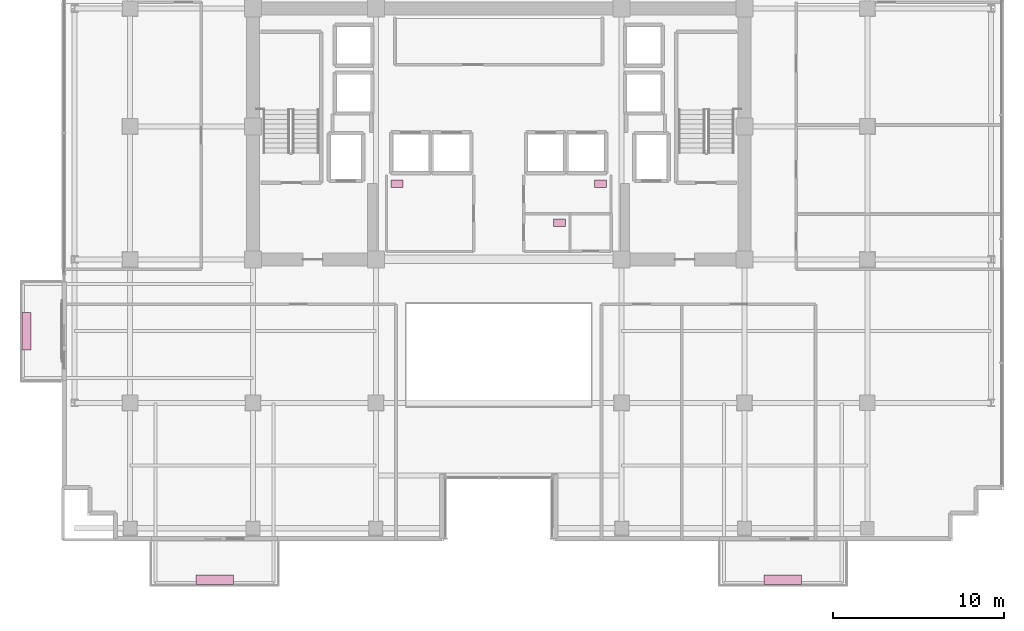
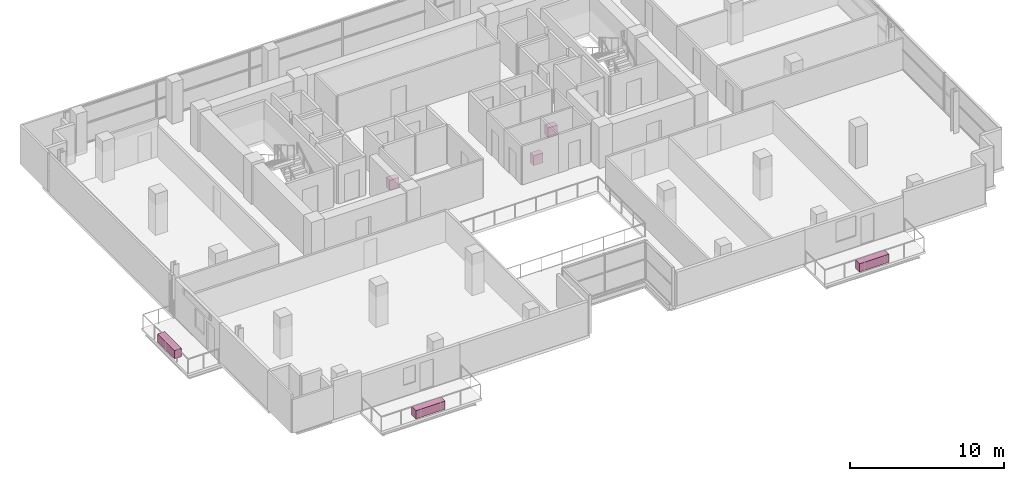
# One storey, part 23 of 23: 6 furnishings.
"""IFC4 building model written with IfcOpenShell, lengths in metres."""

from ifc_helpers import new_model, si_unit, direction, frame, origin, origin_2d, place, context, subcontext, project, spatial, rectangle, extrude, source, transform, mapped, material, type_object, element, save


model = new_model("IFC4")

# Units and contexts
model_context = context("Model", 3, precision=1e-05, world=origin(), true_north=direction((0.0, 1.0)))
body_context = subcontext(model_context, "Body", "Model", "MODEL_VIEW")
ifc_project = project(units=[si_unit("LENGTHUNIT", "METRE"), si_unit("AREAUNIT", "SQUARE_METRE"), si_unit("VOLUMEUNIT", "CUBIC_METRE"), si_unit("PLANEANGLEUNIT", "RADIAN"), si_unit("MASSUNIT", "GRAM", prefix="KILO")], contexts=[model_context])

# Site, building, storey
site_placement = place(None, origin())
site = spatial("IfcSite", under=ifc_project, at=site_placement, CompositionType="ELEMENT")
building_placement = place(site_placement, origin())
building = spatial("IfcBuilding", under=site, at=building_placement, Name="Zarnakvel Exchange Tower", CompositionType="ELEMENT")
storey_placement = place(building_placement, frame((0.0, 0.0, 123.10009765625)))
storey = spatial("IfcBuildingStorey", under=building, at=storey_placement, Name="L34", CompositionType="ELEMENT", Elevation=123.10009765625)

# Furnishings
ifc_material_1 = material(Name="Architectural Bronze Anodised Aluminium", Category="aluminium")
furnishing_element_type_1 = type_object("IfcFurnishingElementType", Name="PLNT-01", material=ifc_material_1)
shared_shape_1 = source(origin(), body_context, "Body", "SweptSolid", [
    extrude(rectangle(XDim=2.199951171875, YDim=0.550048828125, at=origin_2d()), origin(), (0.0, 0.0, 1.0), 0.64990234375),
])
for number, where, z_axis, x_axis, name in (
    (1, (-16.64990234375, -19.969970703125, -0.03515625), (0.0, 0.0, 1.0), (1.0, 0.0, 0.0), "L34 Balcony Greenery Planter BAL-L34-SW"),
    (2, (16.64990234375, -19.969970703125, -0.03515625), (0.0, 0.0, 1.0), (1.0, 0.0, 0.0), "L34 Balcony Greenery Planter BAL-L34-SE"),
    (3, (-27.669921875, -5.39990234375, -0.03515625), (0.0, 0.0, 1.0), (0.0, 1.0, 0.0), "L34 Balcony Greenery Planter BAL-L34-W"),
):
    element("IfcFurnishingElement", number, at=place(storey_placement, frame(where, z_axis=z_axis, x_axis=x_axis)), inside=storey, type_object=furnishing_element_type_1, Name=name, ObjectType="PLANTER", context=body_context, shape_type="MappedRepresentation", body=[
        mapped(shared_shape_1, transform((0.0, 0.0, 0.0), x_axis=(1.0, 0.0, 0.0), y_axis=(0.0, 1.0, 0.0), z_axis=(0.0, 0.0, 1.0), scale=1.0)),
    ])
ifc_material_2 = material(Name="Vitreous China Sanitaryware", Category="ceramic")
furnishing_element_type_2 = type_object("IfcFurnishingElementType", Name="SAN-WC", material=ifc_material_2)
shared_shape_2 = source(origin(), body_context, "Body", "SweptSolid", [
    extrude(rectangle(XDim=0.699951171875, YDim=0.449951171875, at=origin_2d()), origin(), (0.0, 0.0, 1.0), 0.780029296875),
])
for number, where, z_axis, x_axis, name in (
    (4, (-5.949951171875, 3.22998046875, 0.0), (0.0, 0.0, 1.0), (1.0, 0.0, 0.0), "L34 Sanitary Fixture (Male Toilet)"),
    (5, (5.949951171875, 3.22998046875, 0.0), (0.0, 0.0, 1.0), (1.0, 0.0, 0.0), "L34 Sanitary Fixture (Female Toilet)"),
    (6, (3.550048828125, 0.949951171875, 0.0), (0.0, 0.0, 1.0), (1.0, 0.0, 0.0), "L34 Sanitary Fixture (Accessible Toilet)"),
):
    element("IfcFurnishingElement", number, at=place(storey_placement, frame(where, z_axis=z_axis, x_axis=x_axis)), inside=storey, type_object=furnishing_element_type_2, Name=name, ObjectType="SANITARY_FIXTURE", context=body_context, shape_type="MappedRepresentation", body=[
        mapped(shared_shape_2, transform((0.0, 0.0, 0.0), x_axis=(1.0, 0.0, 0.0), y_axis=(0.0, 1.0, 0.0), z_axis=(0.0, 0.0, 1.0), scale=1.0)),
    ])

save(model, "model.ifc")
